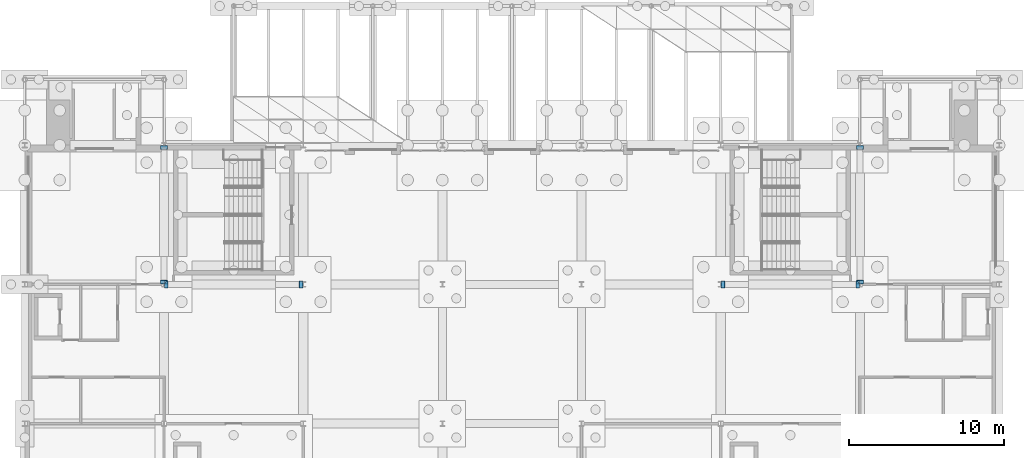
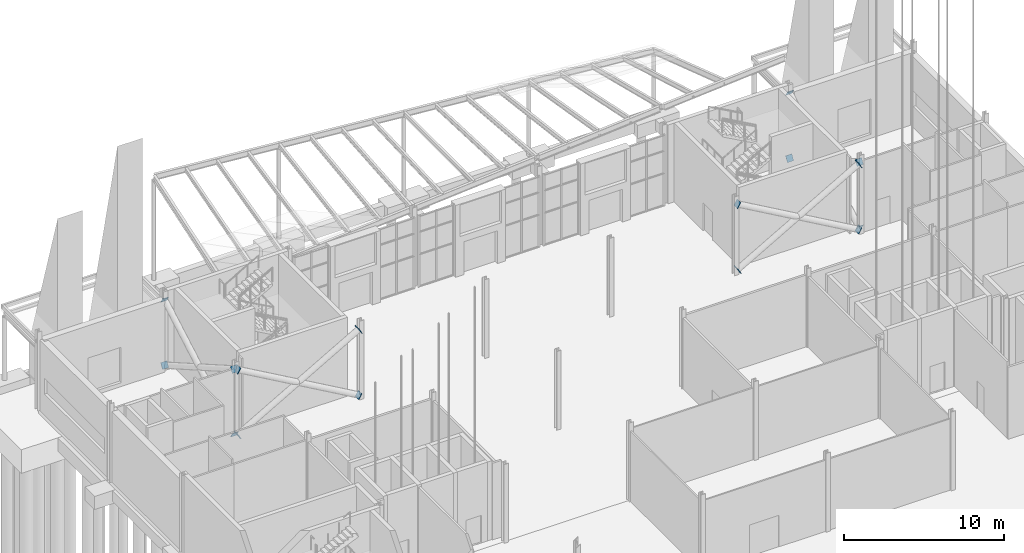
# One storey, part 127 of 139: 16 discrete accessories.
"""IFC4 building model written with IfcOpenShell, lengths in metres."""

from ifc_helpers import new_model, si_unit, direction, frame, origin, place, context, subcontext, project, spatial, polyline, outline, extrude, material, layer, layer_set, type_object, element, save


model = new_model("IFC4")

# Units and contexts
model_context = context("Model", 3, precision=1e-05, world=origin(), true_north=direction((0.0, 1.0)))
body_context = subcontext(model_context, "Body", "Model", "MODEL_VIEW")
ifc_project = project(units=[si_unit("LENGTHUNIT", "METRE"), si_unit("AREAUNIT", "SQUARE_METRE"), si_unit("VOLUMEUNIT", "CUBIC_METRE"), si_unit("PLANEANGLEUNIT", "RADIAN"), si_unit("MASSUNIT", "GRAM", prefix="KILO")], contexts=[model_context])

# Site, building, storey
site_placement = place(None, origin())
site = spatial("IfcSite", under=ifc_project, at=site_placement, CompositionType="ELEMENT")
building_placement = place(site_placement, origin())
building = spatial("IfcBuilding", under=site, at=building_placement, Name="Shorebreak Coast Museum", CompositionType="ELEMENT")
storey_placement = place(building_placement, origin())
storey = spatial("IfcBuildingStorey", under=building, at=storey_placement, Name="L00", CompositionType="ELEMENT", Elevation=0.0)

# Discrete accessories
ifc_material = material(Name="Steel Grade 300", Category="steel")
ifc_layer = layer(ifc_material, 0.02490234375)
ifc_layer_set = layer_set([ifc_layer], Name="Steel Grade 300")
discrete_accessory_type = type_object("IfcDiscreteAccessoryType", Name="End plate 450 x 450 x 25", PredefinedType="BRACKET", material=ifc_layer_set)
for number, where, z_axis, x_axis, name in (
    (1, (63.266357421875, 107.77490234375, 0.104736328125), (0.867842316572, 0.0, 0.496839726237), (0.0, 1.0, 0.0), "End plate X-brace bay 09 L00 diagonal 1 end 1"),
    (2, (71.97900390625, 107.77490234375, 5.092041015625), (0.867842316572, 0.0, 0.496839726237), (0.0, 1.0, 0.0), "End plate X-brace bay 09 L00 diagonal 1 end 2"),
    (3, (71.733642578125, 108.22509765625, 0.104736328125), (-0.867842316572, 0.0, 0.496839726237), (0.0, -1.0, 0.0), "End plate X-brace bay 09 L00 diagonal 2 end 1"),
    (4, (63.02099609375, 108.22509765625, 5.092041015625), (-0.867842316572, 0.0, 0.496839726237), (0.0, -1.0, 0.0), "End plate X-brace bay 09 L00 diagonal 2 end 2"),
):
    element("IfcDiscreteAccessory", number, at=place(storey_placement, frame(where, z_axis=z_axis, x_axis=x_axis)), inside=storey, type_object=discrete_accessory_type, Name=name, PredefinedType="BRACKET", context=body_context, shape_type="SweptSolid", body=[
        extrude(outline(polyline([(0.0, 0.0), (0.4501953125, 0.0), (0.4501953125, 0.45011057025097745), (0.0, 0.45011057025097745), (0.0, 0.0)])), origin(), (0.0, 0.0, -1.0), 0.02490234375),
    ])
for number, where, z_axis, x_axis, name in (
    (5, (63.22509765625, 108.272216796875, 0.104736328125), (0.0, 0.867474241303, 0.49748210086), (-1.0, 0.0, 0.0), "End plate X-brace bay 10 L00 diagonal 1 end 1"),
    (6, (63.22509765625, 116.969970703125, 5.09228515625), (0.0, 0.867474241303, 0.49748210086), (-1.0, 0.0, 0.0), "End plate X-brace bay 10 L00 diagonal 1 end 2"),
):
    element("IfcDiscreteAccessory", number, at=place(storey_placement, frame(where, z_axis=z_axis, x_axis=x_axis)), inside=storey, type_object=discrete_accessory_type, Name=name, PredefinedType="BRACKET", context=body_context, shape_type="SweptSolid", body=[
        extrude(outline(polyline([(0.0, 0.0), (0.4501953125, 0.0), (0.4501953125, 0.4500201167802357), (0.0, 0.4500201167802357), (0.0, 0.0)])), origin(), (0.0, 0.0, -1.0), 0.02490234375),
    ])
discrete_accessory_1_placement = place(storey_placement, frame((62.77490234375, 116.724609375, 0.104736328125), z_axis=(0.0, -0.867708330337, 0.497073690174), x_axis=(1.0, 0.0, 0.0)))
element("IfcDiscreteAccessory", 7, at=discrete_accessory_1_placement, inside=storey, type_object=discrete_accessory_type, Name="End plate X-brace bay 10 L00 diagonal 2 end 1", PredefinedType="BRACKET", context=body_context, shape_type="SweptSolid", body=[
    extrude(outline(polyline([(0.0, 0.0), (0.4501953125, 0.0), (0.4501953125, 0.44989871103729967), (0.0, 0.44989871103729967), (0.0, 0.0)])), origin(), (0.0, 0.0, -1.0), 0.02490234375),
])
discrete_accessory_2_placement = place(storey_placement, frame((62.77490234375, 108.026611328125, 5.09228515625), z_axis=(0.0, -0.867474241303, 0.49748210086), x_axis=(1.0, 0.0, 0.0)))
element("IfcDiscreteAccessory", 8, at=discrete_accessory_2_placement, inside=storey, type_object=discrete_accessory_type, Name="End plate X-brace bay 10 L00 diagonal 2 end 2", PredefinedType="BRACKET", context=body_context, shape_type="SweptSolid", body=[
    extrude(outline(polyline([(0.0, 0.0), (0.4501953125, 0.0), (0.4501953125, 0.4500201167802357), (0.0, 0.4500201167802357), (0.0, 0.0)])), origin(), (0.0, 0.0, -1.0), 0.02490234375),
])
for number, where, z_axis, x_axis, name in (
    (9, (99.266357421875, 107.77490234375, 0.104736328125), (0.867842316572, 0.0, 0.496839726237), (0.0, 1.0, 0.0), "End plate X-brace bay 11 L00 diagonal 1 end 1"),
    (10, (107.97900390625, 107.77490234375, 5.092041015625), (0.867842316572, 0.0, 0.496839726237), (0.0, 1.0, 0.0), "End plate X-brace bay 11 L00 diagonal 1 end 2"),
    (11, (107.733642578125, 108.22509765625, 0.104736328125), (-0.867842316572, 0.0, 0.496839726237), (0.0, -1.0, 0.0), "End plate X-brace bay 11 L00 diagonal 2 end 1"),
    (12, (99.02099609375, 108.22509765625, 5.092041015625), (-0.867842316572, 0.0, 0.496839726237), (0.0, -1.0, 0.0), "End plate X-brace bay 11 L00 diagonal 2 end 2"),
):
    element("IfcDiscreteAccessory", number, at=place(storey_placement, frame(where, z_axis=z_axis, x_axis=x_axis)), inside=storey, type_object=discrete_accessory_type, Name=name, PredefinedType="BRACKET", context=body_context, shape_type="SweptSolid", body=[
        extrude(outline(polyline([(0.0, 0.0), (0.4501953125, 0.0), (0.4501953125, 0.45011057025097745), (0.0, 0.45011057025097745), (0.0, 0.0)])), origin(), (0.0, 0.0, -1.0), 0.02490234375),
    ])
for number, where, z_axis, x_axis, name in (
    (13, (108.22509765625, 108.272216796875, 0.104736328125), (0.0, 0.867474241303, 0.49748210086), (-1.0, 0.0, 0.0), "End plate X-brace bay 12 L00 diagonal 1 end 1"),
    (14, (108.22509765625, 116.969970703125, 5.09228515625), (0.0, 0.867474241303, 0.49748210086), (-1.0, 0.0, 0.0), "End plate X-brace bay 12 L00 diagonal 1 end 2"),
):
    element("IfcDiscreteAccessory", number, at=place(storey_placement, frame(where, z_axis=z_axis, x_axis=x_axis)), inside=storey, type_object=discrete_accessory_type, Name=name, PredefinedType="BRACKET", context=body_context, shape_type="SweptSolid", body=[
        extrude(outline(polyline([(0.0, 0.0), (0.4501953125, 0.0), (0.4501953125, 0.4500201167802357), (0.0, 0.4500201167802357), (0.0, 0.0)])), origin(), (0.0, 0.0, -1.0), 0.02490234375),
    ])
discrete_accessory_3_placement = place(storey_placement, frame((107.77490234375, 116.724609375, 0.104736328125), z_axis=(0.0, -0.867708330337, 0.497073690174), x_axis=(1.0, 0.0, 0.0)))
element("IfcDiscreteAccessory", 15, at=discrete_accessory_3_placement, inside=storey, type_object=discrete_accessory_type, Name="End plate X-brace bay 12 L00 diagonal 2 end 1", PredefinedType="BRACKET", context=body_context, shape_type="SweptSolid", body=[
    extrude(outline(polyline([(0.0, 0.0), (0.4501953125, 0.0), (0.4501953125, 0.44989871103729967), (0.0, 0.44989871103729967), (0.0, 0.0)])), origin(), (0.0, 0.0, -1.0), 0.02490234375),
])
discrete_accessory_4_placement = place(storey_placement, frame((107.77490234375, 108.026611328125, 5.09228515625), z_axis=(0.0, -0.867474241303, 0.49748210086), x_axis=(1.0, 0.0, 0.0)))
element("IfcDiscreteAccessory", 16, at=discrete_accessory_4_placement, inside=storey, type_object=discrete_accessory_type, Name="End plate X-brace bay 12 L00 diagonal 2 end 2", PredefinedType="BRACKET", context=body_context, shape_type="SweptSolid", body=[
    extrude(outline(polyline([(0.0, 0.0), (0.4501953125, 0.0), (0.4501953125, 0.4500201167802357), (0.0, 0.4500201167802357), (0.0, 0.0)])), origin(), (0.0, 0.0, -1.0), 0.02490234375),
])

save(model, "model.ifc")
